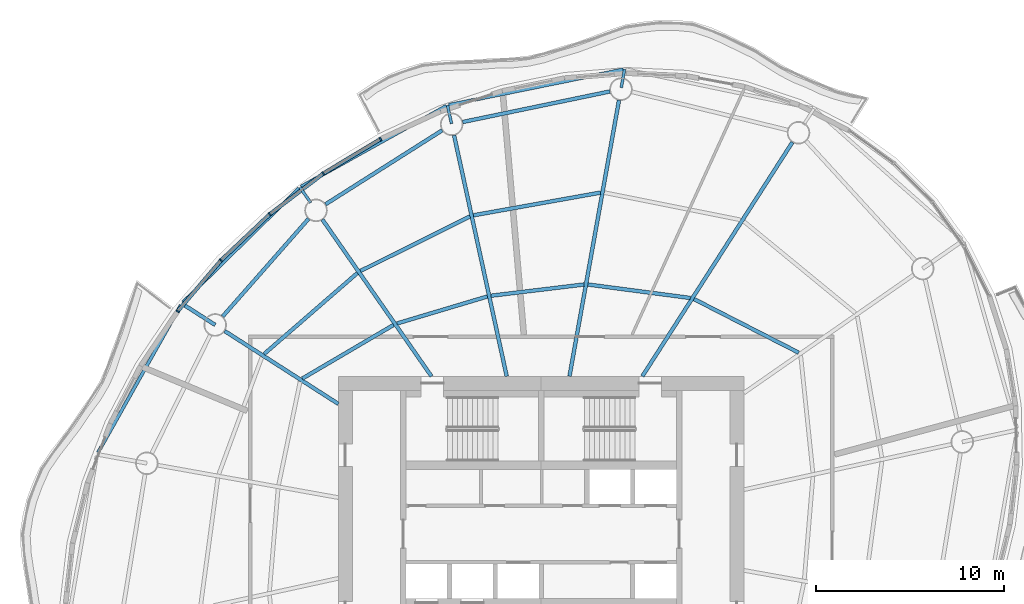
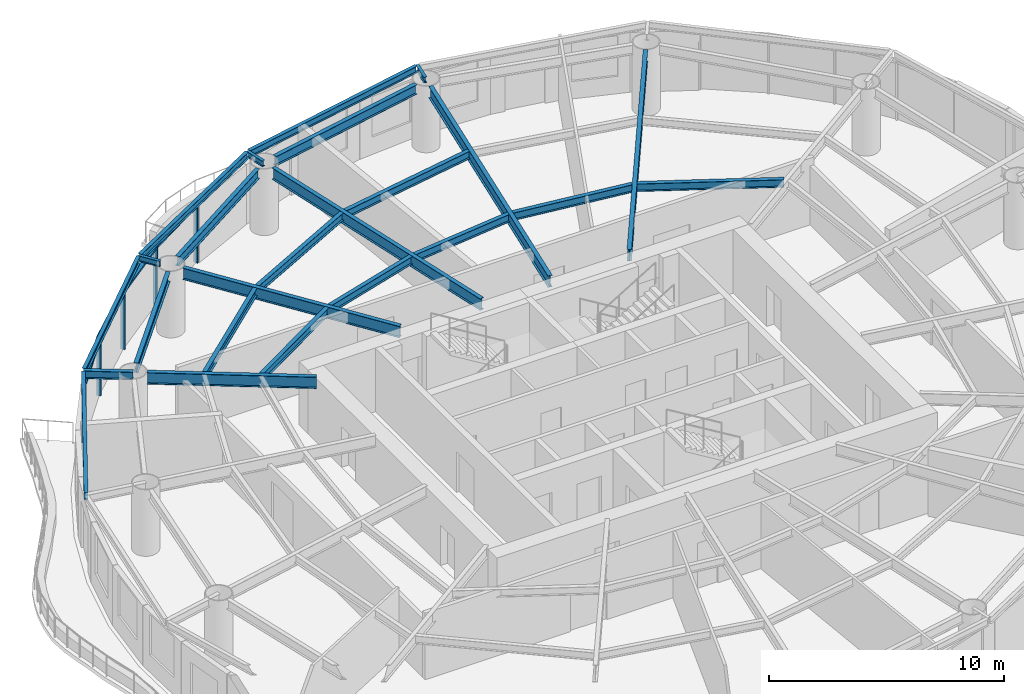
# One storey, part 5 of 14: 24 beams, 9 members, 4 elements without a shape of their own.
"""IFC4 building model written with IfcOpenShell, lengths in metres."""

import ifcopenshell
import ifcopenshell.guid

model = None  # the IFC model being written
_history = None  # IfcOwnerHistory: only IFC2X3 demands one
_inside = {}  # id of a spatial element -> (the spatial element, [elements in it])
_under = {}  # id of a project, library or spatial element -> (it, [spatial elements below it])
_declared = {}  # id of a project -> (the project, [libraries it declares])
_typed = {}  # id of a type object -> (the type object, [elements of that type])
_made_of = {}  # id of a material, layer set ... -> (it, [elements and type objects made of it])


def new_model(schema):
    """Start an empty IFC model of exactly this schema.

    Asked for "IFC4X3", IfcOpenShell would pick the latest addendum, in which some entities
    have other attributes; the version numbers below select the first issue.
    IFC2X3 requires an IfcOwnerHistory on every rooted entity: one is made here for all.
    """
    global model, _history
    if schema == "IFC4X3":
        model = ifcopenshell.file(schema_version=(4, 3, 0, 0))
    else:
        model = ifcopenshell.file(schema=schema)
    _inside.clear()
    _under.clear()
    _declared.clear()
    _typed.clear()
    _made_of.clear()
    _history = None
    if model.schema == "IFC2X3":
        org = make("IfcOrganization", Name="unknown")
        user = make(
            "IfcPersonAndOrganization",
            ThePerson=make("IfcPerson", FamilyName="unknown"),
            TheOrganization=org,
        )
        app = make(
            "IfcApplication",
            ApplicationDeveloper=org,
            Version="unknown",
            ApplicationFullName="unknown",
            ApplicationIdentifier="unknown",
        )
        _history = make(
            "IfcOwnerHistory",
            OwningUser=user,
            OwningApplication=app,
            ChangeAction="ADDED",
            CreationDate=0,
        )
    return model


def make(cls, **values):
    """One entity of the class cls with the attributes given. An attribute that is None is left unset."""
    return model.create_entity(
        cls, **{name: value for name, value in values.items() if value is not None}
    )


def rooted(cls, **values):
    """An entity with a GlobalId (a new one), such as an element, a storey or a relation."""
    return make(cls, GlobalId=ifcopenshell.guid.new(), OwnerHistory=_history, **values)


def si_unit(unit_type, name, prefix=None):
    """IfcSIUnit, for example si_unit("LENGTHUNIT", "METRE", prefix="MILLI")."""
    return make("IfcSIUnit", UnitType=unit_type, Prefix=prefix, Name=name)


def assignment(units):
    """IfcUnitAssignment: the units of a project."""
    return None if units is None else make("IfcUnitAssignment", Units=units)


def point(xyz):
    """IfcCartesianPoint."""
    return None if xyz is None else make("IfcCartesianPoint", Coordinates=xyz)


def direction(xyz):
    """IfcDirection."""
    return None if xyz is None else make("IfcDirection", DirectionRatios=xyz)


def frame(location, z_axis=None, x_axis=None):
    """IfcAxis2Placement3D, a coordinate frame: its origin and axes. An axis left out is left unset."""
    return make(
        "IfcAxis2Placement3D",
        Location=point(location),
        Axis=direction(z_axis),
        RefDirection=direction(x_axis),
    )


def frame_2d(location, x_axis=None):
    """IfcAxis2Placement2D, a coordinate frame in the plane: its origin and x axis."""
    return make(
        "IfcAxis2Placement2D", Location=point(location), RefDirection=direction(x_axis)
    )


def origin():
    """The frame at (0, 0, 0) with its axes left unset."""
    return frame((0.0, 0.0, 0.0))


def origin_2d():
    """The frame at (0, 0) in the plane with its x axis left unset."""
    return frame_2d((0.0, 0.0))


def place(relative_to, where):
    """IfcLocalPlacement: puts the frame where relative to a parent placement (None: the world)."""
    return make(
        "IfcLocalPlacement", PlacementRelTo=relative_to, RelativePlacement=where
    )


def context(
    kind, dimensions, precision=None, world=None, true_north=None, identifier=None
):
    """IfcGeometricRepresentationContext, for example the 3D "Model" context."""
    return make(
        "IfcGeometricRepresentationContext",
        ContextIdentifier=identifier,
        ContextType=kind,
        CoordinateSpaceDimension=dimensions,
        Precision=precision,
        WorldCoordinateSystem=world,
        TrueNorth=true_north,
    )


def subcontext(parent, identifier, kind, view, scale=None):
    """IfcGeometricRepresentationSubContext, for example "Body" below "Model"."""
    return make(
        "IfcGeometricRepresentationSubContext",
        ContextIdentifier=identifier,
        ContextType=kind,
        ParentContext=parent,
        TargetScale=scale,
        TargetView=view,
    )


def project(units=None, contexts=None):
    """IfcProject with its units and contexts."""
    return rooted(
        "IfcProject",
        Name="project",
        RepresentationContexts=contexts,
        UnitsInContext=assignment(units),
    )


def spatial(cls, under=None, at=None, **own):
    """A site, building, storey or space (cls), placed at a placement, below another one or the project."""
    s = rooted(cls, ObjectPlacement=at, **own)
    if under is not None:
        _under.setdefault(under.id(), (under, []))[1].append(s)
    return s


def profile(cls, at=None, kind="AREA", **sizes):
    """A parametric profile (cls). Its sizes go by their IFC names, for example OverallWidth=200.0."""
    return make(cls, ProfileType=kind, Position=at, **sizes)


def rectangle(**sizes):
    """IfcRectangleProfileDef."""
    return profile("IfcRectangleProfileDef", **sizes)


def i_section(**sizes):
    """IfcIShapeProfileDef."""
    return profile("IfcIShapeProfileDef", **sizes)


def extrude(swept, where, along, depth):
    """IfcExtrudedAreaSolid: the profile swept, set in the frame where, extruded along a direction by depth."""
    return make(
        "IfcExtrudedAreaSolid",
        SweptArea=swept,
        Position=where,
        ExtrudedDirection=direction(along),
        Depth=depth,
    )


def shape(context_of_items, identifier, shape_type, items):
    """IfcShapeRepresentation: the items that make up one representation, for example the "Body"."""
    return make(
        "IfcShapeRepresentation",
        ContextOfItems=context_of_items,
        RepresentationIdentifier=identifier,
        RepresentationType=shape_type,
        Items=items,
    )


def material(Name=None, Category=None):
    """IfcMaterial."""
    return make("IfcMaterial", Name=Name, Category=Category)


def material_profile(
    of_material, cross_section, Name=None, Category=None, Priority=None
):
    """IfcMaterialProfile: a cross section and its material."""
    return make(
        "IfcMaterialProfile",
        Name=Name,
        Material=of_material,
        Profile=cross_section,
        Priority=Priority,
        Category=Category,
    )


def profile_set(profiles, Name=None, composite=None):
    """IfcMaterialProfileSet."""
    return make(
        "IfcMaterialProfileSet",
        Name=Name,
        MaterialProfiles=profiles,
        CompositeProfile=composite,
    )


def made_of(thing, what):
    """Note that an element or type object is made of a material, layer set ...; save() writes the relation."""
    if what is not None:
        _made_of.setdefault(what.id(), (what, []))[1].append(thing)
    return thing


def type_object(cls, material=None, **own):
    """A type object (cls), such as IfcWallType, which elements share."""
    return made_of(rooted(cls, **own), material)


def element(
    cls,
    number,
    at=None,
    inside=None,
    cuts=None,
    type_object=None,
    material=None,
    context=None,
    identifier="Body",
    shape_type=None,
    held_by="IfcProductDefinitionShape",
    body=None,
    shapes=None,
    **own,
):
    """One element of the class cls, such as IfcWall. Its Tag is "e" and its number.

    at: its placement. inside: the storey or other place that contains it. cuts: it is an
    opening in that element (IfcRelVoidsElement). A single representation is given by context,
    identifier, shape_type and body (its items); several are given by shapes. held_by: the class
    of the entity that holds the representations. save() writes the other relations.
    """
    e = rooted(cls, Tag="e%d" % number, ObjectPlacement=at, **own)
    if body is not None:
        shapes = [shape(context, identifier, shape_type, body)]
    if shapes is not None:
        e.Representation = make(held_by, Representations=shapes)
    if inside is not None:
        _inside.setdefault(inside.id(), (inside, []))[1].append(e)
    if cuts is not None:
        rooted(
            "IfcRelVoidsElement", RelatingBuildingElement=cuts, RelatedOpeningElement=e
        )
    if type_object is not None:
        _typed.setdefault(type_object.id(), (type_object, []))[1].append(e)
    return made_of(e, material)


def aggregate(whole, parts):
    """IfcRelAggregates: a whole, such as a stair, and the parts it consists of."""
    return rooted("IfcRelAggregates", RelatingObject=whole, RelatedObjects=parts)


def save(model, path):
    """Write the relations noted so far, then the file.

    IfcRelAggregates (storeys below a building ...), IfcRelContainedInSpatialStructure (elements
    in a storey), IfcRelDefinesByType, IfcRelAssociatesMaterial and IfcRelDeclares: one each for
    every whole, place, type object, material and project.
    """
    for whole, parts in _under.values():
        aggregate(whole, parts)
    for where, things in _inside.values():
        rooted(
            "IfcRelContainedInSpatialStructure",
            RelatedElements=things,
            RelatingStructure=where,
        )
    for kind, things in _typed.values():
        rooted("IfcRelDefinesByType", RelatedObjects=things, RelatingType=kind)
    for what, things in _made_of.values():
        rooted("IfcRelAssociatesMaterial", RelatedObjects=things, RelatingMaterial=what)
    for by, libraries in _declared.values():
        rooted("IfcRelDeclares", RelatingContext=by, RelatedDefinitions=libraries)
    model.write(path)


model = new_model("IFC4")

# Units and contexts
model_context = context("Model", 3, precision=1e-05, world=origin(), true_north=direction((0.0, 1.0)))
body_context = subcontext(model_context, "Body", "Model", "MODEL_VIEW")
ifc_project = project(units=[si_unit("LENGTHUNIT", "METRE"), si_unit("AREAUNIT", "SQUARE_METRE"), si_unit("VOLUMEUNIT", "CUBIC_METRE"), si_unit("PLANEANGLEUNIT", "RADIAN"), si_unit("MASSUNIT", "GRAM", prefix="KILO")], contexts=[model_context])

# Site, building, storey
site_placement = place(None, origin())
site = spatial("IfcSite", under=ifc_project, at=site_placement, CompositionType="ELEMENT")
building_placement = place(site_placement, origin())
building = spatial("IfcBuilding", under=site, at=building_placement, Name="Vermilion Reach Broadcast Tower", CompositionType="ELEMENT")
storey_placement = place(building_placement, frame((0.0, 0.0, 195.699951171875)))
storey = spatial("IfcBuildingStorey", under=building, at=storey_placement, Name="L47", CompositionType="ELEMENT", Elevation=195.699951171875)

# Beams
ifc_material_1 = material(Name="Steel S355J2", Category="steel")
ifc_material_profile_1 = material_profile(ifc_material_1, i_section(OverallWidth=0.175048828125, OverallDepth=0.35009765625, WebThickness=0.007080078125, FlangeThickness=0.010986328125, at=origin_2d()), Name="S355J2 HN 350x175x7x11")
ifc_profile_set_1 = profile_set([ifc_material_profile_1], Name="Steel S355J2")
beam_type_1 = type_object("IfcBeamType", Name="EB4 HN 350x175x7x11", PredefinedType="BEAM", material=ifc_profile_set_1)
beam_1_placement = place(storey_placement, frame((-1.638671875, 24.73681640625, 3.275146484375), z_axis=(-0.979927784898, -0.19935279377, 0.0), x_axis=(0.19935279377, -0.979927784898, 0.0)))
element("IfcBeam", 1, at=beam_1_placement, inside=storey, type_object=beam_type_1, Name="Edge beam EB4-02", PredefinedType="BEAM", context=body_context, shape_type="SweptSolid", body=[
    extrude(i_section(OverallWidth=0.175048828125, OverallDepth=0.35009765625, WebThickness=0.007080078125, FlangeThickness=0.010986328125, at=origin_2d()), origin(), (0.0, 0.0, 1.0), 9.46923828125),
])
beam_2_placement = place(storey_placement, frame((-11.0595703125, 22.796142578125, 3.275146484375), z_axis=(-0.873973451909, -0.48597366735, 0.0), x_axis=(0.48597366735, -0.873973451909, 0.0)))
element("IfcBeam", 2, at=beam_2_placement, inside=storey, type_object=beam_type_1, Name="Edge beam EB4-03", PredefinedType="BEAM", context=body_context, shape_type="SweptSolid", body=[
    extrude(i_section(OverallWidth=0.175048828125, OverallDepth=0.35009765625, WebThickness=0.007080078125, FlangeThickness=0.010986328125, at=origin_2d()), origin(), (0.0, 0.0, 1.0), 8.836181640625),
])
beam_3_placement = place(storey_placement, frame((-18.90234375, 18.412109375, 3.275146484375), z_axis=(-0.713148774513, -0.701012714158, 0.0), x_axis=(0.701012714158, -0.713148774513, 0.0)))
element("IfcBeam", 3, at=beam_3_placement, inside=storey, type_object=beam_type_1, Name="Edge beam EB4-04", PredefinedType="BEAM", context=body_context, shape_type="SweptSolid", body=[
    extrude(i_section(OverallWidth=0.175048828125, OverallDepth=0.35009765625, WebThickness=0.007080078125, FlangeThickness=0.010986328125, at=origin_2d()), origin(), (0.0, 0.0, 1.0), 8.650390625),
])
beam_4_placement = place(storey_placement, frame((-25.193359375, 12.18896484375, 3.275146484375), z_axis=(-0.489603457951, -0.871945212707, 0.0), x_axis=(0.871945212707, -0.489603457951, 0.0)))
element("IfcBeam", 4, at=beam_4_placement, inside=storey, type_object=beam_type_1, Name="Edge beam EB4-05", PredefinedType="BEAM", context=body_context, shape_type="SweptSolid", body=[
    extrude(i_section(OverallWidth=0.175048828125, OverallDepth=0.35009765625, WebThickness=0.007080078125, FlangeThickness=0.010986328125, at=origin_2d()), origin(), (0.0, 0.0, 1.0), 9.006591796875),
])
ifc_material_2 = material(Name="Steel S355J2", Category="steel")
ifc_material_profile_2 = material_profile(ifc_material_2, i_section(OverallWidth=0.199951171875, OverallDepth=0.60009765625, WebThickness=0.010986328125, FlangeThickness=0.01708984375, at=origin_2d()), Name="S355J2 HN 600x200x11x17")
ifc_profile_set_2 = profile_set([ifc_material_profile_2], Name="Steel S355J2")
beam_type_2 = type_object("IfcBeamType", Name="G4 HN 600x200x11x17", PredefinedType="BEAM", material=ifc_profile_set_2)
beam_5_placement = place(storey_placement, frame((-0.613525390625, 8.39990234375, 3.150146484375), z_axis=(0.539796447586, 0.84179557802, 0.0), x_axis=(-0.84179557802, 0.539796447586, 0.0)))
element("IfcBeam", 5, at=beam_5_placement, inside=storey, type_object=beam_type_2, Name="Girder G4-01", PredefinedType="BEAM", context=body_context, shape_type="SweptSolid", body=[
    extrude(i_section(OverallWidth=0.199951171875, OverallDepth=0.60009765625, WebThickness=0.010986328125, FlangeThickness=0.01708984375, at=origin_2d()), origin(), (0.0, 0.0, 1.0), 14.8076171875),
])
beam_6_placement = place(storey_placement, frame((-4.4931640625, 8.39990234375, 3.150146484375), z_axis=(0.176574729047, 0.984287237072, 0.0), x_axis=(-0.984287237072, 0.176574729047, 0.0)))
element("IfcBeam", 6, at=beam_6_placement, inside=storey, type_object=beam_type_2, Name="Girder G4-02", PredefinedType="BEAM", context=body_context, shape_type="SweptSolid", body=[
    extrude(i_section(OverallWidth=0.199951171875, OverallDepth=0.60009765625, WebThickness=0.010986328125, FlangeThickness=0.01708984375, at=origin_2d()), origin(), (0.0, 0.0, 1.0), 14.935302734375),
])
beam_7_placement = place(storey_placement, frame((-7.836181640625, 8.39990234375, 3.150146484375), z_axis=(-0.213538346548, 0.976934682849, 0.0), x_axis=(-0.976934682849, -0.213538346548, 0.0)))
element("IfcBeam", 7, at=beam_7_placement, inside=storey, type_object=beam_type_2, Name="Girder G4-03", PredefinedType="BEAM", context=body_context, shape_type="SweptSolid", body=[
    extrude(i_section(OverallWidth=0.199951171875, OverallDepth=0.60009765625, WebThickness=0.010986328125, FlangeThickness=0.01708984375, at=origin_2d()), origin(), (0.0, 0.0, 1.0), 13.135498046875),
])
beam_8_placement = place(storey_placement, frame((-11.8447265625, 8.39990234375, 3.150146484375), z_axis=(-0.571134149017, 0.8208567377, 0.0), x_axis=(-0.8208567377, -0.571134149017, 0.0)))
element("IfcBeam", 8, at=beam_8_placement, inside=storey, type_object=beam_type_2, Name="Girder G4-04", PredefinedType="BEAM", context=body_context, shape_type="SweptSolid", body=[
    extrude(i_section(OverallWidth=0.199951171875, OverallDepth=0.60009765625, WebThickness=0.010986328125, FlangeThickness=0.01708984375, at=origin_2d()), origin(), (0.0, 0.0, 1.0), 10.16552734375),
])
beam_9_placement = place(storey_placement, frame((-16.800048828125, 6.925537109375, 3.150146484375), z_axis=(-0.841798504642, 0.539791883584, 0.0), x_axis=(-0.539791883584, -0.841798504642, 0.0)))
element("IfcBeam", 9, at=beam_9_placement, inside=storey, type_object=beam_type_2, Name="Girder G4-05", PredefinedType="BEAM", context=body_context, shape_type="SweptSolid", body=[
    extrude(i_section(OverallWidth=0.199951171875, OverallDepth=0.60009765625, WebThickness=0.010986328125, FlangeThickness=0.01708984375, at=origin_2d()), origin(), (0.0, 0.0, 1.0), 7.1962890625),
])
ifc_material_3 = material(Name="Steel S355J2", Category="steel")
ifc_material_profile_3 = material_profile(ifc_material_3, i_section(OverallWidth=0.199951171875, OverallDepth=0.39990234375, WebThickness=0.008056640625, FlangeThickness=0.012939453125, at=origin_2d()), Name="S355J2 HN 400x200x8x13")
ifc_profile_set_3 = profile_set([ifc_material_profile_3], Name="Steel S355J2")
beam_type_3 = type_object("IfcBeamType", Name="GC4 HN 400x200x8x13", PredefinedType="BEAM", material=ifc_profile_set_3)
beam_10_placement = place(storey_placement, frame((-23.36279296875, 11.134033203125, 3.25), z_axis=(-0.841837478651, 0.539731099288, 0.0), x_axis=(-0.539731099288, -0.841837478651, 0.0)))
element("IfcBeam", 10, at=beam_10_placement, inside=storey, type_object=beam_type_3, Name="Cantilever girder GC4-05", PredefinedType="BEAM", context=body_context, shape_type="SweptSolid", body=[
    extrude(i_section(OverallWidth=0.199951171875, OverallDepth=0.39990234375, WebThickness=0.008056640625, FlangeThickness=0.012939453125, at=origin_2d()), origin(), (0.0, 0.0, 1.0), 2.116455078125),
])
ifc_material_4 = material(Name="Steel S355J2", Category="steel")
ifc_material_profile_4 = material_profile(ifc_material_4, i_section(OverallWidth=0.14990234375, OverallDepth=0.300048828125, WebThickness=0.006591796875, FlangeThickness=0.009033203125, at=origin_2d()), Name="S355J2 HN 300x150x6.5x9")
ifc_profile_set_4 = profile_set([ifc_material_profile_4], Name="Steel S355J2")
beam_type_4 = type_object("IfcBeamType", Name="GS4 HN 300x150x6.5x9", PredefinedType="BEAM", material=ifc_profile_set_4)
beam_11_placement = place(storey_placement, frame((-1.736083984375, 23.768798828125, 3.300048828125), z_axis=(0.176542748677, 0.984292973606, 0.0), x_axis=(-0.984292973606, 0.176542748677, 0.0)))
element("IfcBeam", 11, at=beam_11_placement, inside=storey, type_object=beam_type_4, Name="Cantilever stub GS4-02", PredefinedType="BEAM", context=body_context, shape_type="SweptSolid", body=[
    extrude(i_section(OverallWidth=0.14990234375, OverallDepth=0.300048828125, WebThickness=0.006591796875, FlangeThickness=0.009033203125, at=origin_2d()), origin(), (0.0, 0.0, 1.0), 0.999755859375),
])
beam_12_placement = place(storey_placement, frame((-10.777587890625, 21.857177734375, 3.300048828125), z_axis=(-0.213594957215, 0.976922307173, 0.0), x_axis=(-0.976922307173, -0.213594957215, 0.0)))
element("IfcBeam", 12, at=beam_12_placement, inside=storey, type_object=beam_type_4, Name="Cantilever stub GS4-03", PredefinedType="BEAM", context=body_context, shape_type="SweptSolid", body=[
    extrude(i_section(OverallWidth=0.14990234375, OverallDepth=0.300048828125, WebThickness=0.006591796875, FlangeThickness=0.009033203125, at=origin_2d()), origin(), (0.0, 0.0, 1.0), 1.000244140625),
])
beam_13_placement = place(storey_placement, frame((-18.277099609375, 17.64453125, 3.300048828125), z_axis=(-0.571100256946, 0.820880318022, 0.0), x_axis=(-0.820880318022, -0.571100256946, 0.0)))
element("IfcBeam", 13, at=beam_13_placement, inside=storey, type_object=beam_type_4, Name="Cantilever stub GS4-04", PredefinedType="BEAM", context=body_context, shape_type="SweptSolid", body=[
    extrude(i_section(OverallWidth=0.14990234375, OverallDepth=0.300048828125, WebThickness=0.006591796875, FlangeThickness=0.009033203125, at=origin_2d()), origin(), (0.0, 0.0, 1.0), 1.0),
])
ifc_material_5 = material(Name="Steel S355J2", Category="steel")
ifc_material_profile_5 = material_profile(ifc_material_5, i_section(OverallWidth=0.199951171875, OverallDepth=0.5, WebThickness=0.010009765625, FlangeThickness=0.01611328125, at=origin_2d()), Name="S355J2 HN 500x200x10x16")
ifc_profile_set_5 = profile_set([ifc_material_profile_5], Name="Steel S355J2")
beam_type_5 = type_object("IfcBeamType", Name="RB4 HN 500x200x10x16", PredefinedType="BEAM", material=ifc_profile_set_5)
beam_14_placement = place(storey_placement, frame((-2.337646484375, 23.569091796875, 3.199951171875), z_axis=(-0.97912342484, -0.203266620302, 0.0), x_axis=(0.203266620302, -0.97912342484, 0.0)))
element("IfcBeam", 14, at=beam_14_placement, inside=storey, type_object=beam_type_5, Name="Ring beam RB4-02", PredefinedType="BEAM", context=body_context, shape_type="SweptSolid", body=[
    extrude(i_section(OverallWidth=0.199951171875, OverallDepth=0.5, WebThickness=0.010009765625, FlangeThickness=0.01611328125, at=origin_2d()), origin(), (0.0, 0.0, 1.0), 8.01123046875),
])
beam_15_placement = place(storey_placement, frame((-11.27587890625, 21.497314453125, 3.199951171875), z_axis=(-0.84446426774, -0.535611893549, 0.0), x_axis=(0.535611893549, -0.84446426774, 0.0)))
element("IfcBeam", 15, at=beam_15_placement, inside=storey, type_object=beam_type_5, Name="Ring beam RB4-03", PredefinedType="BEAM", context=body_context, shape_type="SweptSolid", body=[
    extrude(i_section(OverallWidth=0.199951171875, OverallDepth=0.5, WebThickness=0.010009765625, FlangeThickness=0.01611328125, at=origin_2d()), origin(), (0.0, 0.0, 1.0), 7.3544921875),
])
beam_16_placement = place(storey_placement, frame((-18.3896484375, 16.786376953125, 3.199951171875), z_axis=(-0.660565141761, -0.750768735024, 0.0), x_axis=(0.750768735024, -0.660565141761, 0.0)))
element("IfcBeam", 16, at=beam_16_placement, inside=storey, type_object=beam_type_5, Name="Ring beam RB4-04", PredefinedType="BEAM", context=body_context, shape_type="SweptSolid", body=[
    extrude(i_section(OverallWidth=0.199951171875, OverallDepth=0.5, WebThickness=0.010009765625, FlangeThickness=0.01611328125, at=origin_2d()), origin(), (0.0, 0.0, 1.0), 6.9287109375),
])
ifc_material_6 = material(Name="Steel S355J2", Category="steel")
ifc_material_profile_6 = material_profile(ifc_material_6, i_section(OverallWidth=0.199951171875, OverallDepth=0.39990234375, WebThickness=0.008056640625, FlangeThickness=0.012939453125, at=origin_2d()), Name="S355J2 HN 400x200x8x13")
ifc_profile_set_6 = profile_set([ifc_material_profile_6], Name="Steel S355J2")
beam_type_6 = type_object("IfcBeamType", Name="SB4 HN 400x200x8x13", PredefinedType="BEAM", material=ifc_profile_set_6)
beam_17_placement = place(storey_placement, frame((1.94140625, 12.5693359375, 3.25), z_axis=(-0.991458070019, 0.130425823341, 0.0), x_axis=(-0.130425823341, -0.991458070019, 0.0)))
element("IfcBeam", 17, at=beam_17_placement, inside=storey, type_object=beam_type_6, Name="Secondary beam SB4-01-1", PredefinedType="BEAM", context=body_context, shape_type="SweptSolid", body=[
    extrude(i_section(OverallWidth=0.199951171875, OverallDepth=0.39990234375, WebThickness=0.008056640625, FlangeThickness=0.012939453125, at=origin_2d()), origin(), (0.0, 0.0, 1.0), 5.50341796875),
])
beam_18_placement = place(storey_placement, frame((-3.718017578125, 13.28759765625, 3.25), z_axis=(-0.99278788328, -0.119884189168, 0.0), x_axis=(0.119884189168, -0.99278788328, 0.0)))
element("IfcBeam", 18, at=beam_18_placement, inside=storey, type_object=beam_type_6, Name="Secondary beam SB4-02-1", PredefinedType="BEAM", context=body_context, shape_type="SweptSolid", body=[
    extrude(i_section(OverallWidth=0.199951171875, OverallDepth=0.39990234375, WebThickness=0.008056640625, FlangeThickness=0.012939453125, at=origin_2d()), origin(), (0.0, 0.0, 1.0), 4.9892578125),
])
beam_19_placement = place(storey_placement, frame((-2.840087890625, 18.181640625, 3.25), z_axis=(-0.984415281892, -0.175859468829, 0.0), x_axis=(0.175859468829, -0.984415281892, 0.0)))
element("IfcBeam", 19, at=beam_19_placement, inside=storey, type_object=beam_type_6, Name="Secondary beam SB4-02-2", PredefinedType="BEAM", context=body_context, shape_type="SweptSolid", body=[
    extrude(i_section(OverallWidth=0.199951171875, OverallDepth=0.39990234375, WebThickness=0.008056640625, FlangeThickness=0.012939453125, at=origin_2d()), origin(), (0.0, 0.0, 1.0), 6.874755859375),
])
beam_20_placement = place(storey_placement, frame((-8.8671875, 12.64892578125, 3.25), z_axis=(-0.958173460215, -0.28618808525, 0.0), x_axis=(0.28618808525, -0.958173460215, 0.0)))
element("IfcBeam", 20, at=beam_20_placement, inside=storey, type_object=beam_type_6, Name="Secondary beam SB4-03-1", PredefinedType="BEAM", context=body_context, shape_type="SweptSolid", body=[
    extrude(i_section(OverallWidth=0.199951171875, OverallDepth=0.39990234375, WebThickness=0.008056640625, FlangeThickness=0.012939453125, at=origin_2d()), origin(), (0.0, 0.0, 1.0), 5.02197265625),
])
beam_21_placement = place(storey_placement, frame((-9.79833984375, 16.908935546875, 3.25), z_axis=(-0.895183615542, -0.445697536974, 0.0), x_axis=(0.445697536974, -0.895183615542, 0.0)))
element("IfcBeam", 21, at=beam_21_placement, inside=storey, type_object=beam_type_6, Name="Secondary beam SB4-03-2", PredefinedType="BEAM", context=body_context, shape_type="SweptSolid", body=[
    extrude(i_section(OverallWidth=0.199951171875, OverallDepth=0.39990234375, WebThickness=0.008056640625, FlangeThickness=0.012939453125, at=origin_2d()), origin(), (0.0, 0.0, 1.0), 6.508544921875),
])
beam_22_placement = place(storey_placement, frame((-13.866455078125, 11.130615234375, 3.25), z_axis=(-0.862172572268, -0.506614701356, 0.0), x_axis=(0.506614701356, -0.862172572268, 0.0)))
element("IfcBeam", 22, at=beam_22_placement, inside=storey, type_object=beam_type_6, Name="Secondary beam SB4-04-1", PredefinedType="BEAM", context=body_context, shape_type="SweptSolid", body=[
    extrude(i_section(OverallWidth=0.199951171875, OverallDepth=0.39990234375, WebThickness=0.008056640625, FlangeThickness=0.012939453125, at=origin_2d()), origin(), (0.0, 0.0, 1.0), 5.632568359375),
])
beam_23_placement = place(storey_placement, frame((-15.791259765625, 13.89697265625, 3.25), z_axis=(-0.755129308567, -0.655575874589, 0.0), x_axis=(0.655575874589, -0.755129308567, 0.0)))
element("IfcBeam", 23, at=beam_23_placement, inside=storey, type_object=beam_type_6, Name="Secondary beam SB4-04-2", PredefinedType="BEAM", context=body_context, shape_type="SweptSolid", body=[
    extrude(i_section(OverallWidth=0.199951171875, OverallDepth=0.39990234375, WebThickness=0.008056640625, FlangeThickness=0.012939453125, at=origin_2d()), origin(), (0.0, 0.0, 1.0), 6.57958984375),
])
beam_24_placement = place(storey_placement, frame((7.707763671875, 9.659423828125, 3.25), z_axis=(-0.89015575218, 0.455656380249, 0.0), x_axis=(-0.455656380249, -0.89015575218, 0.0)))
element("IfcBeam", 24, at=beam_24_placement, inside=storey, type_object=beam_type_6, Name="Secondary beam SB4-16-1", PredefinedType="BEAM", context=body_context, shape_type="SweptSolid", body=[
    extrude(i_section(OverallWidth=0.199951171875, OverallDepth=0.39990234375, WebThickness=0.008056640625, FlangeThickness=0.012939453125, at=origin_2d()), origin(), (0.0, 0.0, 1.0), 6.25439453125),
])

# Curtain wall, member
ifc_material_7 = material(Name="Low-e laminated clear glass in aluminium frame", Category="aluminium")
curtain_wall_type = type_object("IfcCurtainWallType", Name="Slot curtain wall", PredefinedType="NOTDEFINED", material=ifc_material_7)
placement = place(storey_placement, origin())
curtain_wall_1 = element("IfcCurtainWall", 25, at=placement, inside=storey, type_object=curtain_wall_type, Name="Slot curtain wall L47 10", PredefinedType="NOTDEFINED")
ifc_material_8 = material(Name="Anodised aluminium", Category="aluminium")
ifc_material_profile_7 = material_profile(ifc_material_8, rectangle(XDim=0.199951171875, YDim=0.080078125, at=origin_2d()), Name="Slot mullion 80 x 200")
ifc_profile_set_7 = profile_set([ifc_material_profile_7], Name="Anodised aluminium")
member_type_1 = type_object("IfcMemberType", Name="Slot mullion 80 x 200", PredefinedType="MULLION", material=ifc_profile_set_7)
member_1_placement = place(storey_placement, frame((-14.556640625, 21.032958984375, 0.0), z_axis=(0.0, 0.0, 1.0), x_axis=(0.4682228401, -0.883610418685, 0.0)))
member_1 = element("IfcMember", 26, at=member_1_placement, type_object=member_type_1, Name="Slot mullion L47 10", PredefinedType="MULLION", context=body_context, shape_type="SweptSolid", body=[
    extrude(rectangle(XDim=0.199951171875, YDim=0.080078125, at=origin_2d()), origin(), (0.0, 0.0, 1.0), 3.050048828125),
])

curtain_wall_2 = element("IfcCurtainWall", 27, at=placement, inside=storey, type_object=curtain_wall_type, Name="Slot curtain wall L47 11", PredefinedType="NOTDEFINED")
member_2_placement = place(storey_placement, frame((-17.604736328125, 19.197021484375, 0.0), z_axis=(0.0, 0.0, 1.0), x_axis=(0.561420142862, -0.827530919778, 0.0)))
member_2 = element("IfcMember", 28, at=member_2_placement, type_object=member_type_1, Name="Slot mullion L47 11", PredefinedType="MULLION", context=body_context, shape_type="SweptSolid", body=[
    extrude(rectangle(XDim=0.199951171875, YDim=0.080078125, at=origin_2d()), origin(), (0.0, 0.0, 1.0), 3.050048828125),
])

curtain_wall_3 = element("IfcCurtainWall", 29, at=placement, inside=storey, type_object=curtain_wall_type, Name="Slot curtain wall L47 12", PredefinedType="NOTDEFINED")
member_3_placement = place(storey_placement, frame((-20.45361328125, 17.031005859375, 0.0), z_axis=(0.0, 0.0, 1.0), x_axis=(0.647056013427, -0.762442467002, 0.0)))
member_3 = element("IfcMember", 30, at=member_3_placement, type_object=member_type_1, Name="Slot mullion L47 12", PredefinedType="MULLION", context=body_context, shape_type="SweptSolid", body=[
    extrude(rectangle(XDim=0.199951171875, YDim=0.080078125, at=origin_2d()), origin(), (0.0, 0.0, 1.0), 3.050048828125),
])

# Curtain wall, members
curtain_wall_4 = element("IfcCurtainWall", 31, at=placement, inside=storey, type_object=curtain_wall_type, Name="Slot curtain wall L47 13", PredefinedType="NOTDEFINED")
member_4_placement = place(storey_placement, frame((-23.05419921875, 14.572265625, 0.0), z_axis=(0.0, 0.0, 1.0), x_axis=(0.725205384194, -0.688532606879, 0.0)))
member_4 = element("IfcMember", 32, at=member_4_placement, type_object=member_type_1, Name="Slot mullion L47 13", PredefinedType="MULLION", context=body_context, shape_type="SweptSolid", body=[
    extrude(rectangle(XDim=0.199951171875, YDim=0.080078125, at=origin_2d()), origin(), (0.0, 0.0, 1.0), 3.050048828125),
])
member_5_placement = place(storey_placement, frame((-25.361328125, 11.863525390625, 0.0), z_axis=(0.0, 0.0, 1.0), x_axis=(0.795695432727, -0.605696936047, 0.0)))
member_5 = element("IfcMember", 33, at=member_5_placement, type_object=member_type_1, Name="Slot mullion L47 14", PredefinedType="MULLION", context=body_context, shape_type="SweptSolid", body=[
    extrude(rectangle(XDim=0.199951171875, YDim=0.080078125, at=origin_2d()), origin(), (0.0, 0.0, 1.0), 3.050048828125),
])

# Member
ifc_material_9 = material(Name="Anodised aluminium", Category="aluminium")
ifc_material_profile_8 = material_profile(ifc_material_9, rectangle(XDim=0.199951171875, YDim=0.10009765625, at=origin_2d()), Name="Slot transom 200 x 100")
ifc_profile_set_8 = profile_set([ifc_material_profile_8], Name="Anodised aluminium")
member_type_2 = type_object("IfcMemberType", Name="Slot transom 200 x 100", PredefinedType="USERDEFINED", material=ifc_profile_set_8)
member_6_placement = place(storey_placement, frame((-14.5908203125, 21.012451171875, 3.0), z_axis=(-0.856606015131, -0.515971060081, 0.0), x_axis=(0.515971060081, -0.856606015131, 0.0)))
member_6 = element("IfcMember", 34, at=member_6_placement, type_object=member_type_2, Name="Slot transom L47 10.1", ObjectType="TRANSOM", PredefinedType="USERDEFINED", context=body_context, shape_type="SweptSolid", body=[
    extrude(rectangle(XDim=0.199951171875, YDim=0.10009765625, at=origin_2d()), origin(), (0.0, 0.0, 1.0), 3.478271484375),
])

aggregate(curtain_wall_1, [member_1, member_6])

member_7_placement = place(storey_placement, frame((-17.636474609375, 19.1728515625, 3.0), z_axis=(-0.796055963446, -0.605223019277, 0.0), x_axis=(0.605223019277, -0.796055963446, 0.0)))
member_7 = element("IfcMember", 35, at=member_7_placement, type_object=member_type_2, Name="Slot transom L47 11.1", ObjectType="TRANSOM", PredefinedType="USERDEFINED", context=body_context, shape_type="SweptSolid", body=[
    extrude(rectangle(XDim=0.199951171875, YDim=0.10009765625, at=origin_2d()), origin(), (0.0, 0.0, 1.0), 3.4990234375),
])

aggregate(curtain_wall_2, [member_2, member_7])

member_8_placement = place(storey_placement, frame((-20.482666015625, 17.003662109375, 3.0), z_axis=(-0.726645387807, -0.687012722138, 0.0), x_axis=(0.687012722138, -0.726645387807, 0.0)))
member_8 = element("IfcMember", 36, at=member_8_placement, type_object=member_type_2, Name="Slot transom L47 12.1", ObjectType="TRANSOM", PredefinedType="USERDEFINED", context=body_context, shape_type="SweptSolid", body=[
    extrude(rectangle(XDim=0.199951171875, YDim=0.10009765625, at=origin_2d()), origin(), (0.0, 0.0, 1.0), 3.4990234375),
])

aggregate(curtain_wall_3, [member_3, member_8])

member_9_placement = place(storey_placement, frame((-23.080078125, 14.5419921875, 3.0), z_axis=(-0.648383600354, -0.761313803101, 0.0), x_axis=(0.761313803101, -0.648383600354, 0.0)))
member_9 = element("IfcMember", 37, at=member_9_placement, type_object=member_type_2, Name="Slot transom L47 13.1", ObjectType="TRANSOM", PredefinedType="USERDEFINED", context=body_context, shape_type="SweptSolid", body=[
    extrude(rectangle(XDim=0.199951171875, YDim=0.10009765625, at=origin_2d()), origin(), (0.0, 0.0, 1.0), 3.478515625),
])

aggregate(curtain_wall_4, [member_4, member_5, member_9])

save(model, "model.ifc")
